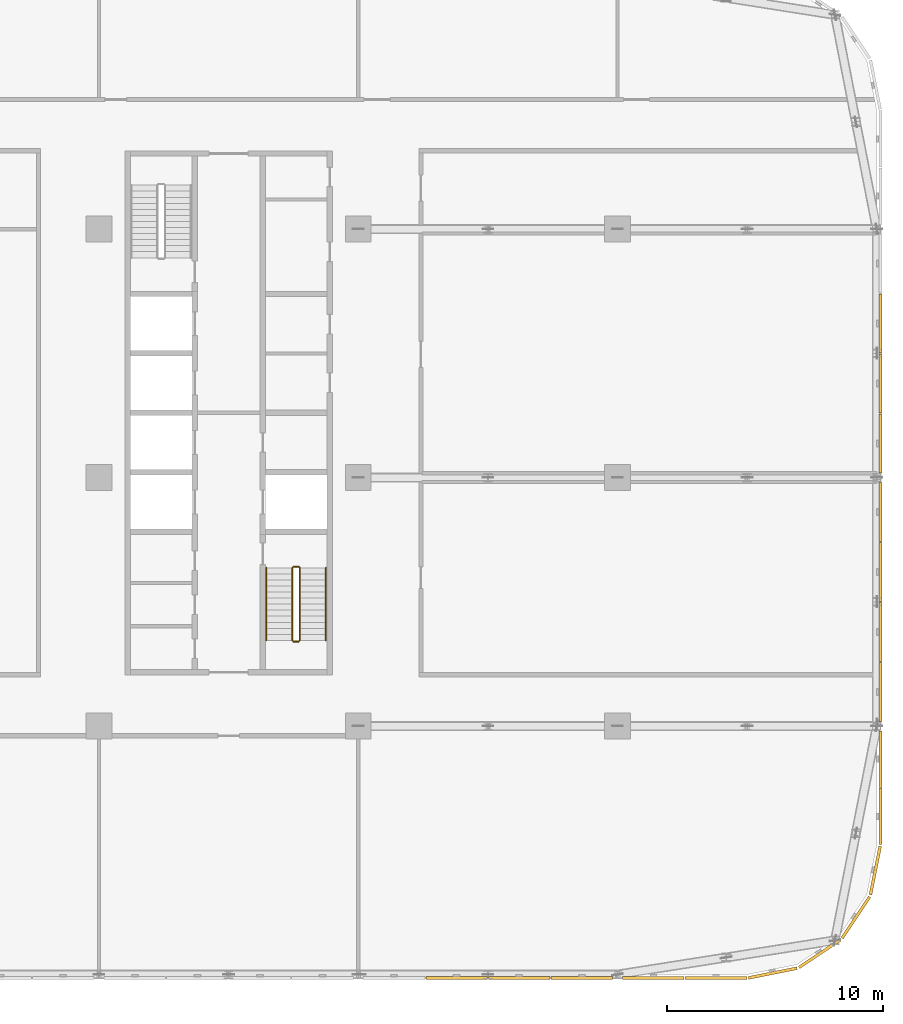
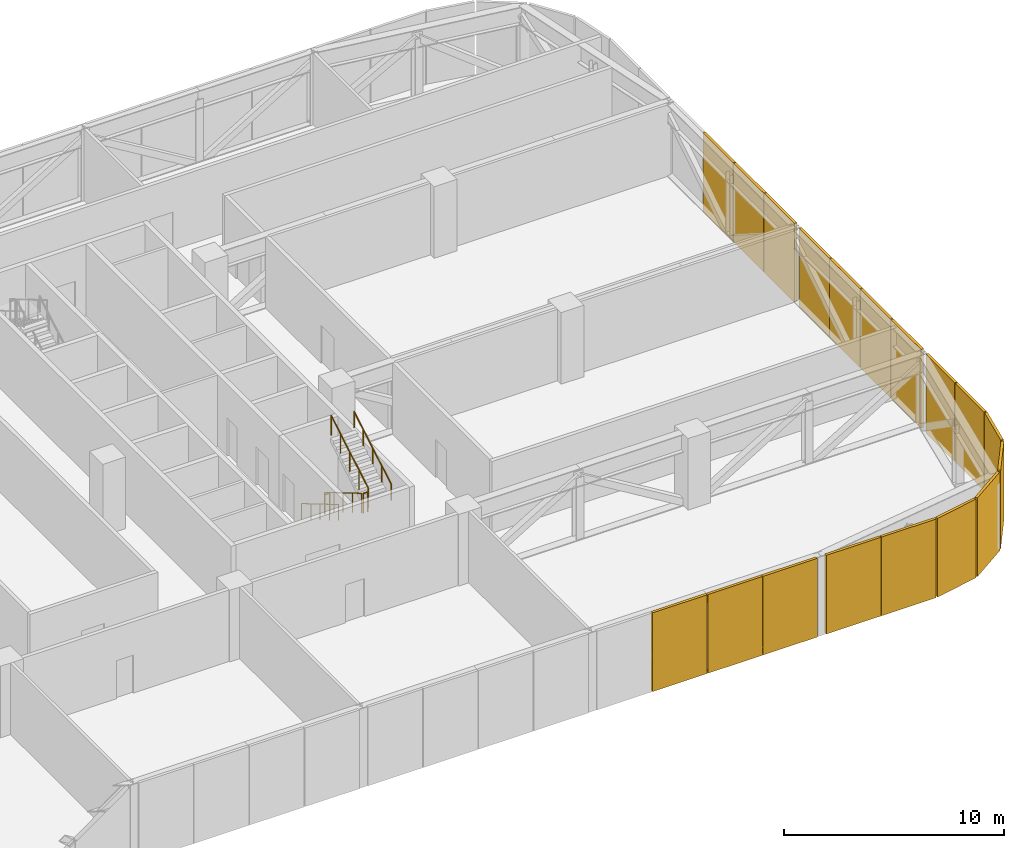
# One storey, part 25 of 26: 18 coverings, 6 railings.
"""IFC4 building model written with IfcOpenShell, lengths in metres."""

from ifc_helpers import new_model, si_unit, direction, frame, origin, origin_2d, place, context, subcontext, project, spatial, rectangle, circle, extrude, material, type_object, element, save


model = new_model("IFC4")

# Units and contexts
model_context = context("Model", 3, precision=1e-05, world=origin(), true_north=direction((0.0, 1.0)))
body_context = subcontext(model_context, "Body", "Model", "MODEL_VIEW")
ifc_project = project(units=[si_unit("LENGTHUNIT", "METRE"), si_unit("AREAUNIT", "SQUARE_METRE"), si_unit("VOLUMEUNIT", "CUBIC_METRE"), si_unit("PLANEANGLEUNIT", "RADIAN"), si_unit("MASSUNIT", "GRAM", prefix="KILO")], contexts=[model_context])

# Site, building, storey
site_placement = place(None, origin())
site = spatial("IfcSite", under=ifc_project, at=site_placement, CompositionType="ELEMENT")
building_placement = place(site_placement, origin())
building = spatial("IfcBuilding", under=site, at=building_placement, Name="Mahtab Terrace Research Tower", CompositionType="ELEMENT")
storey_placement = place(building_placement, frame((0.0, 0.0, 189.60009765625)))
storey = spatial("IfcBuildingStorey", under=building, at=storey_placement, Name="L45", CompositionType="ELEMENT", Elevation=189.60009765625)

# Coverings
ifc_material_1 = material(Name="Natural anodised aluminium", Category="aluminium")
covering_type = type_object("IfcCoveringType", Name="Plant storey louvre bay", PredefinedType="CLADDING", material=ifc_material_1)
for number, where, z_axis, x_axis, name in (
    (1, (43.656005859375, -23.159912109375, -0.400390625), (0.0, 0.0, 1.0), (1.0, 0.0, 0.0), "Louvre bay L45 1"),
    (2, (46.552001953125, -23.159912109375, -0.400390625), (0.0, 0.0, 1.0), (1.0, 0.0, 0.0), "Louvre bay L45 2"),
):
    element("IfcCovering", number, at=place(storey_placement, frame(where, z_axis=z_axis, x_axis=x_axis)), inside=storey, type_object=covering_type, Name=name, PredefinedType="CLADDING", context=body_context, shape_type="SweptSolid", body=[
        extrude(rectangle(XDim=2.85595703125, YDim=0.139892578125, at=origin_2d()), origin(), (0.0, 0.0, 1.0), 4.360107421875),
    ])
for number, where, z_axis, x_axis, name in (
    (3, (49.17919921875, -22.928466796875, -0.400390625), (0.0, 0.0, 1.0), (0.980760981187, 0.195212442692, 0.0), "Louvre bay L45 3"),
    (4, (51.3583984375, -22.026123046875, -0.400390625), (0.0, 0.0, 1.0), (0.831655794326, 0.555291490808, 0.0), "Louvre bay L45 4"),
    (5, (53.026123046875, -20.3583984375, -0.400390625), (0.0, 0.0, 1.0), (0.555291490808, 0.831655794326, 0.0), "Louvre bay L45 5"),
    (6, (53.928466796875, -18.17919921875, -0.400390625), (0.0, 0.0, 1.0), (0.195212442692, 0.980760981187, 0.0), "Louvre bay L45 6"),
):
    element("IfcCovering", number, at=place(storey_placement, frame(where, z_axis=z_axis, x_axis=x_axis)), inside=storey, type_object=covering_type, Name=name, PredefinedType="CLADDING", context=body_context, shape_type="SweptSolid", body=[
        extrude(rectangle(XDim=2.301025390625, YDim=0.139892578125, at=origin_2d()), origin(), (0.0, 0.0, 1.0), 4.360107421875),
    ])
for number, where, z_axis, x_axis, name in (
    (7, (54.159912109375, -15.675048828125, -0.400390625), (0.0, 0.0, 1.0), (0.0, 1.0, 0.0), "Louvre bay L45 7"),
    (8, (54.159912109375, -13.02490234375, -0.400390625), (0.0, 0.0, 1.0), (0.0, 1.0, 0.0), "Louvre bay L45 8"),
):
    element("IfcCovering", number, at=place(storey_placement, frame(where, z_axis=z_axis, x_axis=x_axis)), inside=storey, type_object=covering_type, Name=name, PredefinedType="CLADDING", context=body_context, shape_type="SweptSolid", body=[
        extrude(rectangle(XDim=2.610107421875, YDim=0.139892578125, at=origin_2d()), origin(), (0.0, 0.0, 1.0), 4.360107421875),
    ])
for number, where, z_axis, x_axis, name in (
    (9, (54.159912109375, -9.91259765625, -0.400390625), (0.0, 0.0, 1.0), (0.0, 1.0, 0.0), "Louvre bay L45 9"),
    (10, (54.159912109375, -7.137451171875, -0.400390625), (0.0, 0.0, 1.0), (0.0, 1.0, 0.0), "Louvre bay L45 10"),
    (11, (54.159912109375, -4.362548828125, -0.400390625), (0.0, 0.0, 1.0), (0.0, 1.0, 0.0), "Louvre bay L45 11"),
    (12, (54.159912109375, -1.58740234375, -0.400390625), (0.0, 0.0, 1.0), (0.0, 1.0, 0.0), "Louvre bay L45 12"),
    (13, (54.159912109375, 1.58740234375, -0.400390625), (0.0, 0.0, 1.0), (0.0, 1.0, 0.0), "Louvre bay L45 13"),
    (14, (54.159912109375, 4.362548828125, -0.400390625), (0.0, 0.0, 1.0), (0.0, 1.0, 0.0), "Louvre bay L45 14"),
    (15, (54.159912109375, 7.137451171875, -0.400390625), (0.0, 0.0, 1.0), (0.0, 1.0, 0.0), "Louvre bay L45 15"),
):
    element("IfcCovering", number, at=place(storey_placement, frame(where, z_axis=z_axis, x_axis=x_axis)), inside=storey, type_object=covering_type, Name=name, PredefinedType="CLADDING", context=body_context, shape_type="SweptSolid", body=[
        extrude(rectangle(XDim=2.735107421875, YDim=0.139892578125, at=origin_2d()), origin(), (0.0, 0.0, 1.0), 4.360107421875),
    ])
for number, where, z_axis, x_axis, name in (
    (16, (34.552001953125, -23.159912109375, -0.400390625), (0.0, 0.0, 1.0), (1.0, 0.0, 0.0), "Louvre bay L45 97"),
    (17, (37.447998046875, -23.159912109375, -0.400390625), (0.0, 0.0, 1.0), (1.0, 0.0, 0.0), "Louvre bay L45 98"),
    (18, (40.343994140625, -23.159912109375, -0.400390625), (0.0, 0.0, 1.0), (1.0, 0.0, 0.0), "Louvre bay L45 99"),
):
    element("IfcCovering", number, at=place(storey_placement, frame(where, z_axis=z_axis, x_axis=x_axis)), inside=storey, type_object=covering_type, Name=name, PredefinedType="CLADDING", context=body_context, shape_type="SweptSolid", body=[
        extrude(rectangle(XDim=2.85595703125, YDim=0.139892578125, at=origin_2d()), origin(), (0.0, 0.0, 1.0), 4.360107421875),
    ])

# Railings
ifc_material_2 = material(Name="Stainless steel AISI 304", Category="steel")
railing_type_1 = type_object("IfcRailingType", Name="Stair guard 1100", PredefinedType="GUARDRAIL", material=ifc_material_2)
railing_1_placement = place(storey_placement, frame((26.949951171875, -4.175048828125, 0.165283203125)))
element("IfcRailing", 19, at=railing_1_placement, inside=storey, type_object=railing_type_1, Name="L45 ST4 stair guard 1", PredefinedType="GUARDRAIL", context=body_context, shape_type="SweptSolid", body=[
    extrude(circle(Radius=0.02392578125, at=origin_2d()), frame((0.0, 0.0, 1.076171875), z_axis=(0.0, -0.861011212953, 0.508585972249), x_axis=(1.0, 0.0, 0.0)), (0.0, 0.0, 1.0), 3.90234375),
    extrude(circle(Radius=0.02099609375, at=origin_2d()), origin(), (0.0, 0.0, 1.0), 1.052001953125),
    extrude(circle(Radius=0.02099609375, at=origin_2d()), frame((0.0, -0.83984375, 0.49609375)), (0.0, 0.0, 1.0), 1.052001953125),
    extrude(circle(Radius=0.02099609375, at=origin_2d()), frame((0.0, -1.679931640625, 0.9921875)), (0.0, 0.0, 1.0), 1.052001953125),
    extrude(circle(Radius=0.02099609375, at=origin_2d()), frame((0.0, -2.52001953125, 1.488525390625)), (0.0, 0.0, 1.0), 1.052001953125),
    extrude(circle(Radius=0.02099609375, at=origin_2d()), frame((0.0, -3.35986328125, 1.984619140625)), (0.0, 0.0, 1.0), 1.052001953125),
])
railing_2_placement = place(storey_placement, frame((27.0, -7.5849609375, 2.14990234375)))
element("IfcRailing", 20, at=railing_2_placement, inside=storey, type_object=railing_type_1, Name="L45 ST4 stair guard 2", PredefinedType="GUARDRAIL", context=body_context, shape_type="SweptSolid", body=[
    extrude(circle(Radius=0.02392578125, at=origin_2d()), frame((0.0, 0.0, 1.076171875), z_axis=(1.0, 0.0, 0.0), x_axis=(0.0, 1.0, 0.0)), (0.0, 0.0, 1.0), 0.25),
    extrude(circle(Radius=0.02099609375, at=origin_2d()), origin(), (0.0, 0.0, 1.0), 1.052001953125),
    extrude(circle(Radius=0.02099609375, at=origin_2d()), frame((0.25, 0.0, 0.0)), (0.0, 0.0, 1.0), 1.052001953125),
])
railing_3_placement = place(storey_placement, frame((27.300048828125, -7.534912109375, 2.315185546875)))
element("IfcRailing", 21, at=railing_3_placement, inside=storey, type_object=railing_type_1, Name="L45 ST4 stair guard 3", PredefinedType="GUARDRAIL", context=body_context, shape_type="SweptSolid", body=[
    extrude(circle(Radius=0.02392578125, at=origin_2d()), frame((0.0, 0.0, 1.076171875), z_axis=(0.0, 0.861011212953, 0.508585972249), x_axis=(-1.0, 0.0, 0.0)), (0.0, 0.0, 1.0), 3.90234375),
    extrude(circle(Radius=0.02099609375, at=origin_2d()), origin(), (0.0, 0.0, 1.0), 1.052001953125),
    extrude(circle(Radius=0.02099609375, at=origin_2d()), frame((0.0, 0.83984375, 0.49609375)), (0.0, 0.0, 1.0), 1.052001953125),
    extrude(circle(Radius=0.02099609375, at=origin_2d()), frame((0.0, 1.679931640625, 0.9921875)), (0.0, 0.0, 1.0), 1.052001953125),
    extrude(circle(Radius=0.02099609375, at=origin_2d()), frame((0.0, 2.52001953125, 1.488525390625)), (0.0, 0.0, 1.0), 1.052001953125),
    extrude(circle(Radius=0.02099609375, at=origin_2d()), frame((0.0, 3.35986328125, 1.984619140625)), (0.0, 0.0, 1.0), 1.052001953125),
])
railing_4_placement = place(storey_placement, frame((27.0, -4.125, 0.0)))
element("IfcRailing", 22, at=railing_4_placement, inside=storey, type_object=railing_type_1, Name="L45 ST4 stair guard 4", PredefinedType="GUARDRAIL", context=body_context, shape_type="SweptSolid", body=[
    extrude(circle(Radius=0.02392578125, at=origin_2d()), frame((0.0, 0.0, 1.076171875), z_axis=(1.0, 0.0, 0.0), x_axis=(0.0, 1.0, 0.0)), (0.0, 0.0, 1.0), 0.25),
    extrude(circle(Radius=0.02099609375, at=origin_2d()), origin(), (0.0, 0.0, 1.0), 1.052001953125),
    extrude(circle(Radius=0.02099609375, at=origin_2d()), frame((0.25, 0.0, 0.0)), (0.0, 0.0, 1.0), 1.052001953125),
])
railing_type_2 = type_object("IfcRailingType", Name="Stair handrail 900", PredefinedType="HANDRAIL", material=ifc_material_2)
railing_5_placement = place(storey_placement, frame((25.75, -4.175048828125, 0.165283203125)))
element("IfcRailing", 23, at=railing_5_placement, inside=storey, type_object=railing_type_2, Name="L45 ST4 stair handrail 1", PredefinedType="HANDRAIL", context=body_context, shape_type="SweptSolid", body=[
    extrude(circle(Radius=0.02392578125, at=origin_2d()), frame((0.0, 0.0, 0.8759765625), z_axis=(0.0, -0.861011212953, 0.508585972249), x_axis=(1.0, 0.0, 0.0)), (0.0, 0.0, 1.0), 3.90234375),
    extrude(circle(Radius=0.02099609375, at=origin_2d()), origin(), (0.0, 0.0, 1.0), 0.851806640625),
    extrude(circle(Radius=0.02099609375, at=origin_2d()), frame((0.0, -0.83984375, 0.49609375)), (0.0, 0.0, 1.0), 0.851806640625),
    extrude(circle(Radius=0.02099609375, at=origin_2d()), frame((0.0, -1.679931640625, 0.9921875)), (0.0, 0.0, 1.0), 0.851806640625),
    extrude(circle(Radius=0.02099609375, at=origin_2d()), frame((0.0, -2.52001953125, 1.488525390625)), (0.0, 0.0, 1.0), 0.851806640625),
    extrude(circle(Radius=0.02099609375, at=origin_2d()), frame((0.0, -3.35986328125, 1.984619140625)), (0.0, 0.0, 1.0), 0.851806640625),
])
railing_6_placement = place(storey_placement, frame((28.5, -7.534912109375, 2.315185546875)))
element("IfcRailing", 24, at=railing_6_placement, inside=storey, type_object=railing_type_2, Name="L45 ST4 stair handrail 2", PredefinedType="HANDRAIL", context=body_context, shape_type="SweptSolid", body=[
    extrude(circle(Radius=0.02392578125, at=origin_2d()), frame((0.0, 0.0, 0.8759765625), z_axis=(0.0, 0.861011212953, 0.508585972249), x_axis=(-1.0, 0.0, 0.0)), (0.0, 0.0, 1.0), 3.90234375),
    extrude(circle(Radius=0.02099609375, at=origin_2d()), origin(), (0.0, 0.0, 1.0), 0.851806640625),
    extrude(circle(Radius=0.02099609375, at=origin_2d()), frame((0.0, 0.83984375, 0.49609375)), (0.0, 0.0, 1.0), 0.851806640625),
    extrude(circle(Radius=0.02099609375, at=origin_2d()), frame((0.0, 1.679931640625, 0.9921875)), (0.0, 0.0, 1.0), 0.851806640625),
    extrude(circle(Radius=0.02099609375, at=origin_2d()), frame((0.0, 2.52001953125, 1.488525390625)), (0.0, 0.0, 1.0), 0.851806640625),
    extrude(circle(Radius=0.02099609375, at=origin_2d()), frame((0.0, 3.35986328125, 1.984619140625)), (0.0, 0.0, 1.0), 0.851806640625),
])

save(model, "model.ifc")
